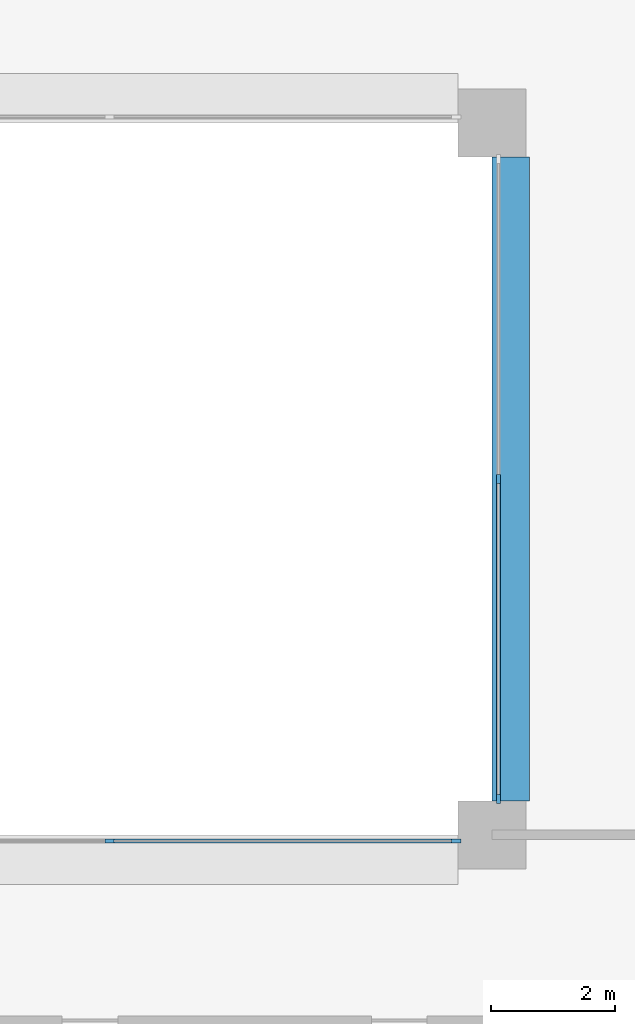
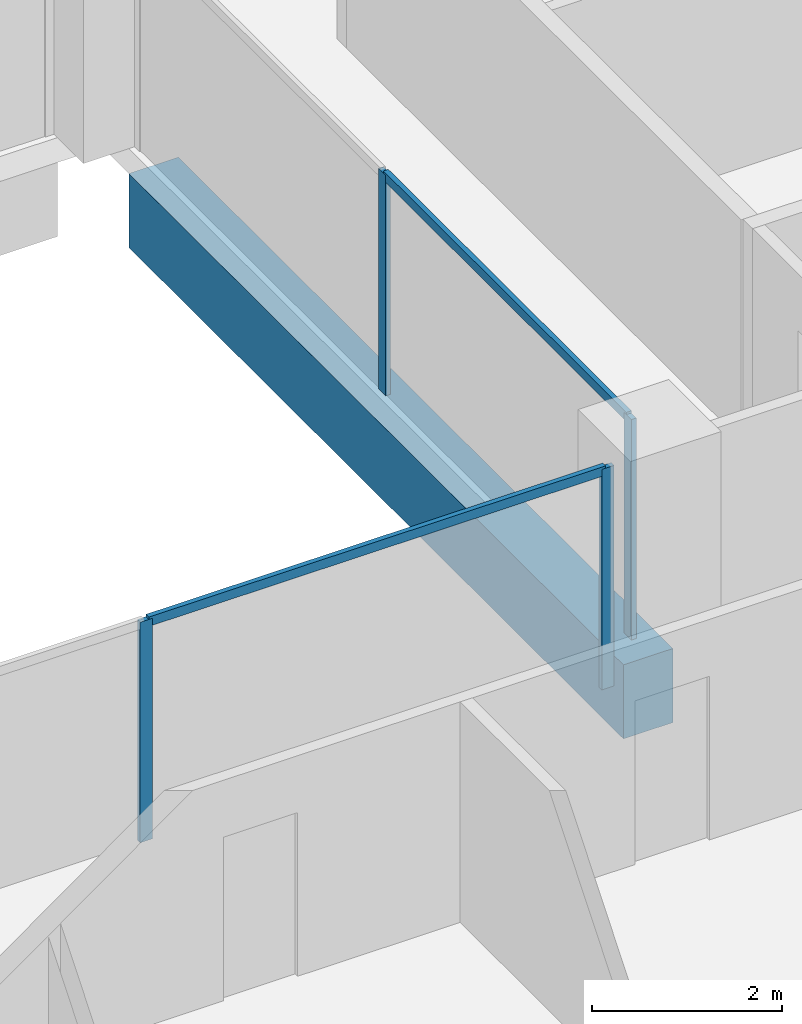
# One storey, part 4 of 16: 6 members, 1 beam, 2 elements without a shape of their own.
"""IFC4 building model written with IfcOpenShell, lengths in metres."""

from ifc_helpers import new_model, si_unit, direction, frame, origin, origin_2d, place, context, subcontext, project, spatial, rectangle, extrude, material, layer, layer_set, material_profile, profile_set, type_object, element, aggregate, save


model = new_model("IFC4")

# Units and contexts
model_context = context("Model", 3, precision=1e-05, world=origin(), true_north=direction((0.0, 1.0)))
body_context = subcontext(model_context, "Body", "Model", "MODEL_VIEW")
ifc_project = project(units=[si_unit("LENGTHUNIT", "METRE"), si_unit("AREAUNIT", "SQUARE_METRE"), si_unit("VOLUMEUNIT", "CUBIC_METRE"), si_unit("PLANEANGLEUNIT", "RADIAN"), si_unit("MASSUNIT", "GRAM", prefix="KILO")], contexts=[model_context])

# Site, building, storey
site_placement = place(None, origin())
site = spatial("IfcSite", under=ifc_project, at=site_placement, CompositionType="ELEMENT")
building_placement = place(site_placement, origin())
building = spatial("IfcBuilding", under=site, at=building_placement, Name="Brigalow Station Residences", CompositionType="ELEMENT")
storey_placement = place(building_placement, frame((0.0, 0.0, 166.5)))
storey = spatial("IfcBuildingStorey", under=building, at=storey_placement, Name="L48", CompositionType="ELEMENT", Elevation=166.5)

# Beam
ifc_material_1 = material(Name="Concrete C65", Category="concrete")
ifc_material_profile_1 = material_profile(ifc_material_1, rectangle(XDim=0.60009765625, YDim=0.949951171875, at=origin_2d()), Name="RC600x950")
ifc_profile_set_1 = profile_set([ifc_material_profile_1], Name="Concrete C65")
beam_type = type_object("IfcBeamType", Name="ATRIUM EDGE GIRDER 600x950 C65", PredefinedType="BEAM", material=ifc_profile_set_1)
beam_placement = place(storey_placement, frame((45.300048828125, 24.550048828125, -0.794921875), z_axis=(0.0, 1.0, 0.0), x_axis=(-1.0, 0.0, 0.0)))
element("IfcBeam", 1, at=beam_placement, inside=storey, type_object=beam_type, Name="ATRIUM EDGE GIRDER 5 L48", PredefinedType="BEAM", context=body_context, shape_type="SweptSolid", body=[
    extrude(rectangle(XDim=0.60009765625, YDim=0.949951171875, at=origin_2d()), origin(), (0.0, 0.0, 1.0), 10.39990234375),
])

# Curtain wall, members
ifc_material_2 = material(Name="Aluminium", Category="aluminium")
ifc_layer = layer(ifc_material_2, 0.14990234375)
ifc_layer_set = layer_set([ifc_layer], Name="ATRIUM FIRE-RATED GLAZING CURTAIN WALL")
curtain_wall_type = type_object("IfcCurtainWallType", Name="ATRIUM FIRE-RATED GLAZING CURTAIN WALL", PredefinedType="NOTDEFINED", material=ifc_layer_set)
curtain_wall_1_placement = place(storey_placement, origin())
curtain_wall_1 = element("IfcCurtainWall", 2, at=curtain_wall_1_placement, inside=storey, type_object=curtain_wall_type, Name="L48/cw/atrium-S", PredefinedType="NOTDEFINED")
ifc_material_3 = material(Name="Aluminium", Category="aluminium")
ifc_material_profile_2 = material_profile(ifc_material_3, rectangle(XDim=0.06005859375, YDim=0.14990234375, at=origin_2d()), Name="ATRIUM FIRE-RATED GLAZING MULLION 60x150")
ifc_profile_set_2 = profile_set([ifc_material_profile_2], Name="Aluminium")
member_type_1 = type_object("IfcMemberType", Name="ATRIUM FIRE-RATED GLAZING MULLION 60x150", PredefinedType="MULLION", material=ifc_profile_set_2)
member_1_placement = place(storey_placement, frame((38.816650390625, 23.89990234375, 0.0), z_axis=(0.0, 0.0, 1.0), x_axis=(0.0, 1.0, 0.0)))
member_1 = element("IfcMember", 3, at=member_1_placement, type_object=member_type_1, Name="L48/cw/atrium-S/M02", PredefinedType="MULLION", context=body_context, shape_type="SweptSolid", body=[
    extrude(rectangle(XDim=0.06005859375, YDim=0.14990234375, at=origin_2d()), origin(), (0.0, 0.0, 1.0), 2.830078125),
])
member_2_placement = place(storey_placement, frame((44.419921875, 23.89990234375, 0.0), z_axis=(0.0, 0.0, 1.0), x_axis=(0.0, 1.0, 0.0)))
member_2 = element("IfcMember", 4, at=member_2_placement, type_object=member_type_1, Name="L48/cw/atrium-S/M03", PredefinedType="MULLION", context=body_context, shape_type="SweptSolid", body=[
    extrude(rectangle(XDim=0.06005859375, YDim=0.14990234375, at=origin_2d()), origin(), (0.0, 0.0, 1.0), 2.830078125),
])

curtain_wall_2_placement = place(storey_placement, origin())
curtain_wall_2 = element("IfcCurtainWall", 5, at=curtain_wall_2_placement, inside=storey, type_object=curtain_wall_type, Name="L48/cw/atrium-E", PredefinedType="NOTDEFINED")
member_3_placement = place(storey_placement, frame((45.10009765625, 24.580078125, 0.0), z_axis=(0.0, 0.0, 1.0), x_axis=(-1.0, 0.0, 0.0)))
member_3 = element("IfcMember", 6, at=member_3_placement, type_object=member_type_1, Name="L48/cw/atrium-E/M00", PredefinedType="MULLION", context=body_context, shape_type="SweptSolid", body=[
    extrude(rectangle(XDim=0.06005859375, YDim=0.14990234375, at=origin_2d()), origin(), (0.0, 0.0, 1.0), 2.830078125),
])
member_4_placement = place(storey_placement, frame((45.10009765625, 29.75, 0.0), z_axis=(0.0, 0.0, 1.0), x_axis=(-1.0, 0.0, 0.0)))
member_4 = element("IfcMember", 7, at=member_4_placement, type_object=member_type_1, Name="L48/cw/atrium-E/M01", PredefinedType="MULLION", context=body_context, shape_type="SweptSolid", body=[
    extrude(rectangle(XDim=0.06005859375, YDim=0.14990234375, at=origin_2d()), origin(), (0.0, 0.0, 1.0), 2.830078125),
])

# Member
ifc_material_4 = material(Name="Aluminium", Category="aluminium")
ifc_material_profile_3 = material_profile(ifc_material_4, rectangle(XDim=0.06005859375, YDim=0.1201171875, at=origin_2d()), Name="ATRIUM FIRE-RATED GLAZING TRANSOM 60x120")
ifc_profile_set_3 = profile_set([ifc_material_profile_3], Name="Aluminium")
member_type_2 = type_object("IfcMemberType", Name="ATRIUM FIRE-RATED GLAZING TRANSOM 60x120", PredefinedType="USERDEFINED", material=ifc_profile_set_3)
member_5_placement = place(storey_placement, frame((38.8466796875, 23.89990234375, 2.800048828125), z_axis=(1.0, 0.0, 0.0), x_axis=(0.0, 1.0, 0.0)))
member_5 = element("IfcMember", 8, at=member_5_placement, type_object=member_type_2, Name="L48/cw/atrium-S/T02-00", ObjectType="TRANSOM", PredefinedType="USERDEFINED", context=body_context, shape_type="SweptSolid", body=[
    extrude(rectangle(XDim=0.06005859375, YDim=0.1201171875, at=origin_2d()), origin(), (0.0, 0.0, 1.0), 5.543212890625),
])

aggregate(curtain_wall_1, [member_1, member_2, member_5])

member_6_placement = place(storey_placement, frame((45.10009765625, 24.610107421875, 2.800048828125), z_axis=(0.0, 1.0, 0.0), x_axis=(-1.0, 0.0, 0.0)))
member_6 = element("IfcMember", 9, at=member_6_placement, type_object=member_type_2, Name="L48/cw/atrium-E/T00-00", ObjectType="TRANSOM", PredefinedType="USERDEFINED", context=body_context, shape_type="SweptSolid", body=[
    extrude(rectangle(XDim=0.06005859375, YDim=0.1201171875, at=origin_2d()), origin(), (0.0, 0.0, 1.0), 5.10986328125),
])

aggregate(curtain_wall_2, [member_3, member_4, member_6])

save(model, "model.ifc")
